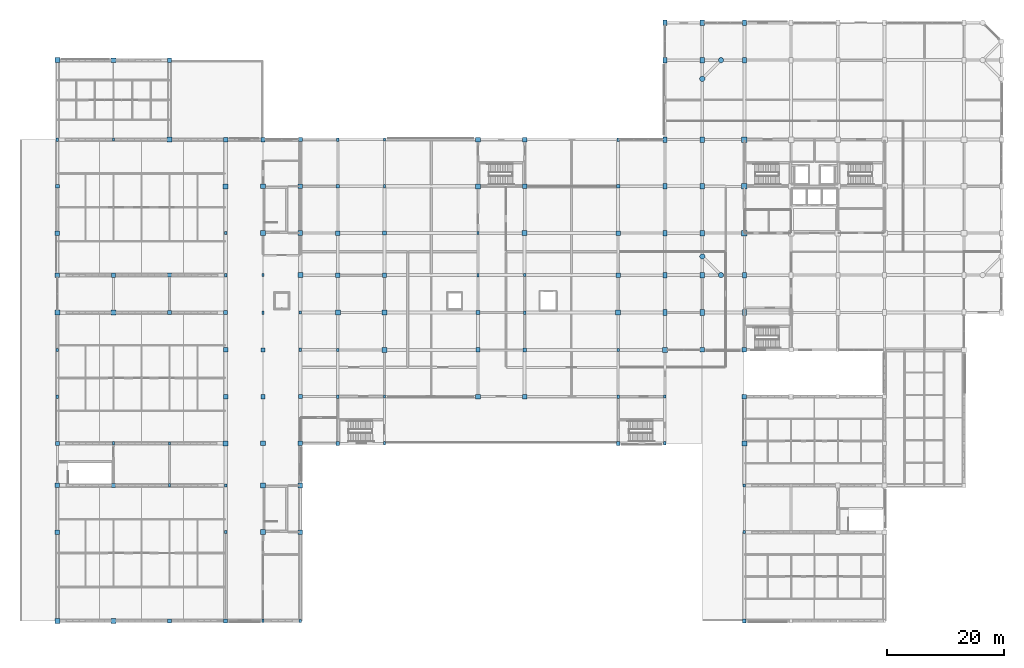
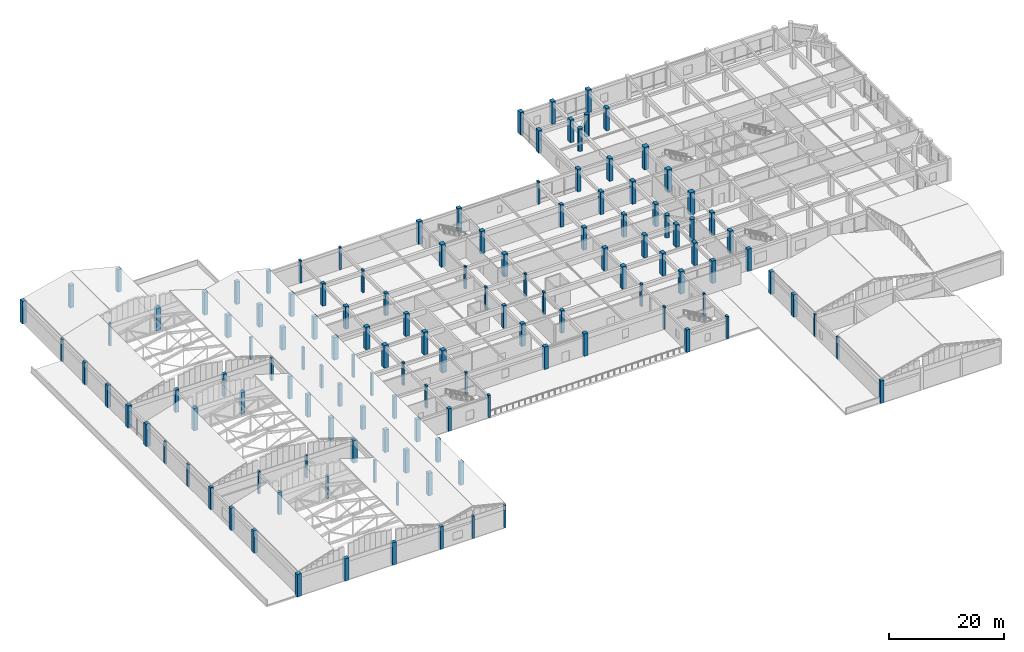
# One storey, part 1 of 61: 132 columns.
"""IFC4 building model written with IfcOpenShell, lengths in metres."""

from ifc_helpers import new_model, si_unit, direction, frame, origin, origin_2d, place, context, subcontext, project, spatial, rectangle, circle, extrude, material, material_profile, profile_set, type_object, element, save


model = new_model("IFC4")

# Units and contexts
model_context = context("Model", 3, precision=1e-05, world=origin(), true_north=direction((0.0, 1.0)))
body_context = subcontext(model_context, "Body", "Model", "MODEL_VIEW")
ifc_project = project(units=[si_unit("LENGTHUNIT", "METRE"), si_unit("AREAUNIT", "SQUARE_METRE"), si_unit("VOLUMEUNIT", "CUBIC_METRE"), si_unit("PLANEANGLEUNIT", "RADIAN"), si_unit("MASSUNIT", "GRAM", prefix="KILO")], contexts=[model_context])

# Site, building, storey
site_placement = place(None, origin())
site = spatial("IfcSite", under=ifc_project, at=site_placement, CompositionType="ELEMENT")
building_placement = place(site_placement, origin())
building = spatial("IfcBuilding", under=site, at=building_placement, Name="Vellmiral Cinema and Media Centre", CompositionType="ELEMENT")
storey_placement = place(building_placement, frame((0.0, 0.0, 10.800048828125)))
storey = spatial("IfcBuildingStorey", under=building, at=storey_placement, Name="L02", CompositionType="ELEMENT", Elevation=10.800048828125)

# Columns
ifc_material_1 = material(Name="Concrete C40/50", Category="concrete")
ifc_material_profile_1 = material_profile(ifc_material_1, rectangle(XDim=0.39990234375, YDim=0.5, at=origin_2d()), Name="RC 400x500")
ifc_profile_set_1 = profile_set([ifc_material_profile_1], Name="Concrete C40/50")
column_type_1 = type_object("IfcColumnType", Name="COL-RC-400x500", PredefinedType="COLUMN", material=ifc_profile_set_1)
for number, where, z_axis, x_axis, name in (
    (1, (6.39990234375, 59.199951171875, 0.0), (0.0, 0.0, 1.0), (1.0, 0.0, 0.0), "Column L02-006"),
    (2, (16.0, 95.199951171875, 0.0), (0.0, 0.0, 1.0), (1.0, 0.0, 0.0), "Column L02-018"),
    (3, (25.60009765625, 43.199951171875, 0.0), (0.0, 0.0, 1.0), (1.0, 0.0, 0.0), "Column L02-022"),
    (4, (35.199951171875, 28.0, 0.0), (0.0, 0.0, 1.0), (1.0, 0.0, 0.0), "Column L02-028"),
    (5, (35.199951171875, 36.0, 0.0), (0.0, 0.0, 1.0), (1.0, 0.0, 0.0), "Column L02-029"),
    (6, (35.199951171875, 79.199951171875, 0.0), (0.0, 0.0, 1.0), (1.0, 0.0, 0.0), "Column L02-035"),
    (7, (41.60009765625, 72.0, 0.0), (0.0, 0.0, 1.0), (1.0, 0.0, 0.0), "Column L02-045"),
    (8, (48.0, 12.800048828125, 0.0), (0.0, 0.0, 1.0), (1.0, 0.0, 0.0), "Column L02-049"),
    (9, (48.0, 65.60009765625, 0.0), (0.0, 0.0, 1.0), (1.0, 0.0, 0.0), "Column L02-055"),
    (10, (54.39990234375, 59.199951171875, 0.0), (0.0, 0.0, 1.0), (1.0, 0.0, 0.0), "Column L02-062"),
    (11, (62.39990234375, 51.199951171875, 0.0), (0.0, 0.0, 1.0), (1.0, 0.0, 0.0), "Column L02-069"),
    (12, (62.39990234375, 95.199951171875, 0.0), (0.0, 0.0, 1.0), (1.0, 0.0, 0.0), "Column L02-075"),
    (13, (78.39990234375, 79.199951171875, 0.0), (0.0, 0.0, 1.0), (1.0, 0.0, 0.0), "Column L02-080"),
    (14, (86.39990234375, 72.0, 0.0), (0.0, 0.0, 1.0), (1.0, 0.0, 0.0), "Column L02-086"),
    (15, (102.39990234375, 59.199951171875, 0.0), (0.0, 0.0, 1.0), (1.0, 0.0, 0.0), "Column L02-092"),
    (16, (110.39990234375, 51.199951171875, 0.0), (0.0, 0.0, 1.0), (1.0, 0.0, 0.0), "Column L02-099"),
    (17, (124.0, 28.0, 0.0), (0.0, 0.0, 1.0), (1.0, 0.0, 0.0), "Column L02-121"),
    (18, (124.0, 36.0, 0.0), (0.0, 0.0, 1.0), (1.0, 0.0, 0.0), "Column L02-122"),
):
    element("IfcColumn", number, at=place(storey_placement, frame(where, z_axis=z_axis, x_axis=x_axis)), inside=storey, type_object=column_type_1, Name=name, PredefinedType="COLUMN", context=body_context, shape_type="SweptSolid", body=[
        extrude(rectangle(XDim=0.39990234375, YDim=0.5, at=origin_2d()), origin(), (0.0, 0.0, 1.0), 4.800048828125),
    ])
ifc_material_2 = material(Name="Concrete C40/50", Category="concrete")
ifc_material_profile_2 = material_profile(ifc_material_2, rectangle(XDim=0.39990234375, YDim=0.60009765625, at=origin_2d()), Name="RC 400x600")
ifc_profile_set_2 = profile_set([ifc_material_profile_2], Name="Concrete C40/50")
column_type_2 = type_object("IfcColumnType", Name="COL-RC-400x600", PredefinedType="COLUMN", material=ifc_profile_set_2)
for number, where, z_axis, x_axis, name in (
    (19, (6.39990234375, 51.199951171875, 0.0), (0.0, 0.0, 1.0), (1.0, 0.0, 0.0), "Column L02-005"),
    (20, (6.39990234375, 95.199951171875, 0.0), (0.0, 0.0, 1.0), (1.0, 0.0, 0.0), "Column L02-011"),
    (21, (16.0, 43.199951171875, 0.0), (0.0, 0.0, 1.0), (1.0, 0.0, 0.0), "Column L02-015"),
    (22, (25.60009765625, 36.0, 0.0), (0.0, 0.0, 1.0), (1.0, 0.0, 0.0), "Column L02-021"),
    (23, (35.199951171875, 72.0, 0.0), (0.0, 0.0, 1.0), (1.0, 0.0, 0.0), "Column L02-034"),
    (24, (41.60009765625, 12.800048828125, 0.0), (0.0, 0.0, 1.0), (1.0, 0.0, 0.0), "Column L02-038"),
    (25, (41.60009765625, 65.60009765625, 0.0), (0.0, 0.0, 1.0), (1.0, 0.0, 0.0), "Column L02-044"),
    (26, (48.0, 59.199951171875, 0.0), (0.0, 0.0, 1.0), (1.0, 0.0, 0.0), "Column L02-054"),
    (27, (54.39990234375, 51.199951171875, 0.0), (0.0, 0.0, 1.0), (1.0, 0.0, 0.0), "Column L02-061"),
    (28, (54.39990234375, 95.199951171875, 0.0), (0.0, 0.0, 1.0), (1.0, 0.0, 0.0), "Column L02-067"),
    (29, (62.39990234375, 43.199951171875, 0.0), (0.0, 0.0, 1.0), (1.0, 0.0, 0.0), "Column L02-068"),
    (30, (62.39990234375, 87.199951171875, 0.0), (0.0, 0.0, 1.0), (1.0, 0.0, 0.0), "Column L02-074"),
    (31, (78.39990234375, 72.0, 0.0), (0.0, 0.0, 1.0), (1.0, 0.0, 0.0), "Column L02-079"),
    (32, (86.39990234375, 65.60009765625, 0.0), (0.0, 0.0, 1.0), (1.0, 0.0, 0.0), "Column L02-085"),
    (33, (102.39990234375, 51.199951171875, 0.0), (0.0, 0.0, 1.0), (1.0, 0.0, 0.0), "Column L02-091"),
    (34, (102.39990234375, 95.199951171875, 0.0), (0.0, 0.0, 1.0), (1.0, 0.0, 0.0), "Column L02-097"),
    (35, (110.39990234375, 43.199951171875, 0.0), (0.0, 0.0, 1.0), (1.0, 0.0, 0.0), "Column L02-098"),
):
    element("IfcColumn", number, at=place(storey_placement, frame(where, z_axis=z_axis, x_axis=x_axis)), inside=storey, type_object=column_type_2, Name=name, PredefinedType="COLUMN", context=body_context, shape_type="SweptSolid", body=[
        extrude(rectangle(XDim=0.39990234375, YDim=0.60009765625, at=origin_2d()), origin(), (0.0, 0.0, 1.0), 4.800048828125),
    ])
ifc_material_3 = material(Name="Concrete C40/50", Category="concrete")
ifc_material_profile_3 = material_profile(ifc_material_3, rectangle(XDim=0.64990234375, YDim=0.64990234375, at=origin_2d()), Name="RC 650x650")
ifc_profile_set_3 = profile_set([ifc_material_profile_3], Name="Concrete C40/50")
column_type_3 = type_object("IfcColumnType", Name="COL-RC-650x650", PredefinedType="COLUMN", material=ifc_profile_set_3)
for number, where, z_axis, x_axis, name in (
    (36, (6.39990234375, 43.199951171875, 0.0), (0.0, 0.0, 1.0), (1.0, 0.0, 0.0), "Column L02-004"),
    (37, (6.39990234375, 87.199951171875, 0.0), (0.0, 0.0, 1.0), (1.0, 0.0, 0.0), "Column L02-010"),
    (38, (16.0, 36.0, 0.0), (0.0, 0.0, 1.0), (1.0, 0.0, 0.0), "Column L02-014"),
    (39, (25.60009765625, 72.0, 0.0), (0.0, 0.0, 1.0), (1.0, 0.0, 0.0), "Column L02-024"),
    (40, (35.199951171875, 12.800048828125, 0.0), (0.0, 0.0, 1.0), (1.0, 0.0, 0.0), "Column L02-027"),
    (41, (35.199951171875, 65.60009765625, 0.0), (0.0, 0.0, 1.0), (1.0, 0.0, 0.0), "Column L02-033"),
    (42, (41.60009765625, 59.199951171875, 0.0), (0.0, 0.0, 1.0), (1.0, 0.0, 0.0), "Column L02-043"),
    (43, (48.0, 51.199951171875, 0.0), (0.0, 0.0, 1.0), (1.0, 0.0, 0.0), "Column L02-053"),
    (44, (48.0, 95.199951171875, 0.0), (0.0, 0.0, 1.0), (1.0, 0.0, 0.0), "Column L02-059"),
    (45, (54.39990234375, 43.199951171875, 0.0), (0.0, 0.0, 1.0), (1.0, 0.0, 0.0), "Column L02-060"),
    (46, (54.39990234375, 87.199951171875, 0.0), (0.0, 0.0, 1.0), (1.0, 0.0, 0.0), "Column L02-066"),
    (47, (62.39990234375, 79.199951171875, 0.0), (0.0, 0.0, 1.0), (1.0, 0.0, 0.0), "Column L02-073"),
    (48, (78.39990234375, 65.60009765625, 0.0), (0.0, 0.0, 1.0), (1.0, 0.0, 0.0), "Column L02-078"),
    (49, (86.39990234375, 59.199951171875, 0.0), (0.0, 0.0, 1.0), (1.0, 0.0, 0.0), "Column L02-084"),
    (50, (102.39990234375, 43.199951171875, 0.0), (0.0, 0.0, 1.0), (1.0, 0.0, 0.0), "Column L02-090"),
    (51, (102.39990234375, 87.199951171875, 0.0), (0.0, 0.0, 1.0), (1.0, 0.0, 0.0), "Column L02-096"),
    (52, (124.0, 12.800048828125, 0.0), (0.0, 0.0, 1.0), (1.0, 0.0, 0.0), "Column L02-120"),
):
    element("IfcColumn", number, at=place(storey_placement, frame(where, z_axis=z_axis, x_axis=x_axis)), inside=storey, type_object=column_type_3, Name=name, PredefinedType="COLUMN", context=body_context, shape_type="SweptSolid", body=[
        extrude(rectangle(XDim=0.64990234375, YDim=0.64990234375, at=origin_2d()), origin(), (0.0, 0.0, 1.0), 4.800048828125),
    ])
ifc_material_4 = material(Name="Concrete C40/50", Category="concrete")
ifc_material_profile_4 = material_profile(ifc_material_4, rectangle(XDim=0.699951171875, YDim=0.949951171875, at=origin_2d()), Name="RC 700x950")
ifc_profile_set_4 = profile_set([ifc_material_profile_4], Name="Concrete C40/50")
column_type_4 = type_object("IfcColumnType", Name="COL-RC-700x950", PredefinedType="COLUMN", material=ifc_profile_set_4)
for number, where, z_axis, x_axis, name in (
    (53, (110.39990234375, 65.60009765625, 0.0), (0.0, 0.0, 1.0), (1.0, 0.0, 0.0), "Column L02-101"),
    (54, (110.39990234375, 72.0, 0.0), (0.0, 0.0, 1.0), (1.0, 0.0, 0.0), "Column L02-102"),
    (55, (110.39990234375, 79.199951171875, 0.0), (0.0, 0.0, 1.0), (1.0, 0.0, 0.0), "Column L02-103"),
    (56, (110.39990234375, 87.199951171875, 0.0), (0.0, 0.0, 1.0), (1.0, 0.0, 0.0), "Column L02-104"),
    (57, (110.39990234375, 95.199951171875, 0.0), (0.0, 0.0, 1.0), (1.0, 0.0, 0.0), "Column L02-105"),
    (58, (110.39990234375, 108.800048828125, 0.0), (0.0, 0.0, 1.0), (1.0, 0.0, 0.0), "Column L02-106"),
    (59, (110.39990234375, 115.199951171875, 0.0), (0.0, 0.0, 1.0), (1.0, 0.0, 0.0), "Column L02-107"),
    (60, (116.800048828125, 65.60009765625, 0.0), (0.0, 0.0, 1.0), (1.0, 0.0, 0.0), "Column L02-109"),
    (61, (116.800048828125, 72.0, 0.0), (0.0, 0.0, 1.0), (1.0, 0.0, 0.0), "Column L02-110"),
    (62, (116.800048828125, 79.199951171875, 0.0), (0.0, 0.0, 1.0), (1.0, 0.0, 0.0), "Column L02-112"),
    (63, (116.800048828125, 87.199951171875, 0.0), (0.0, 0.0, 1.0), (1.0, 0.0, 0.0), "Column L02-113"),
    (64, (116.800048828125, 95.199951171875, 0.0), (0.0, 0.0, 1.0), (1.0, 0.0, 0.0), "Column L02-114"),
    (65, (116.800048828125, 108.800048828125, 0.0), (0.0, 0.0, 1.0), (1.0, 0.0, 0.0), "Column L02-116"),
    (66, (116.800048828125, 115.199951171875, 0.0), (0.0, 0.0, 1.0), (1.0, 0.0, 0.0), "Column L02-117"),
    (67, (124.0, 65.60009765625, 0.0), (0.0, 0.0, 1.0), (1.0, 0.0, 0.0), "Column L02-126"),
    (68, (124.0, 72.0, 0.0), (0.0, 0.0, 1.0), (1.0, 0.0, 0.0), "Column L02-127"),
    (69, (124.0, 108.800048828125, 0.0), (0.0, 0.0, 1.0), (1.0, 0.0, 0.0), "Column L02-131"),
    (70, (124.0, 115.199951171875, 0.0), (0.0, 0.0, 1.0), (1.0, 0.0, 0.0), "Column L02-132"),
):
    element("IfcColumn", number, at=place(storey_placement, frame(where, z_axis=z_axis, x_axis=x_axis)), inside=storey, type_object=column_type_4, Name=name, PredefinedType="COLUMN", context=body_context, shape_type="SweptSolid", body=[
        extrude(rectangle(XDim=0.699951171875, YDim=0.949951171875, at=origin_2d()), origin(), (0.0, 0.0, 1.0), 4.800048828125),
    ])
ifc_material_5 = material(Name="Concrete C40/50", Category="concrete")
ifc_material_profile_5 = material_profile(ifc_material_5, rectangle(XDim=0.75, YDim=0.75, at=origin_2d()), Name="RC 750x750")
ifc_profile_set_5 = profile_set([ifc_material_profile_5], Name="Concrete C40/50")
column_type_5 = type_object("IfcColumnType", Name="COL-RC-750x750", PredefinedType="COLUMN", material=ifc_profile_set_5)
for number, where, z_axis, x_axis, name in (
    (71, (6.39990234375, 28.0, 0.0), (0.0, 0.0, 1.0), (1.0, 0.0, 0.0), "Column L02-002"),
    (72, (6.39990234375, 36.0, 0.0), (0.0, 0.0, 1.0), (1.0, 0.0, 0.0), "Column L02-003"),
    (73, (6.39990234375, 79.199951171875, 0.0), (0.0, 0.0, 1.0), (1.0, 0.0, 0.0), "Column L02-009"),
    (74, (16.0, 72.0, 0.0), (0.0, 0.0, 1.0), (1.0, 0.0, 0.0), "Column L02-017"),
    (75, (25.60009765625, 12.800048828125, 0.0), (0.0, 0.0, 1.0), (1.0, 0.0, 0.0), "Column L02-020"),
    (76, (25.60009765625, 65.60009765625, 0.0), (0.0, 0.0, 1.0), (1.0, 0.0, 0.0), "Column L02-023"),
    (77, (25.60009765625, 108.800048828125, 0.0), (0.0, 0.0, 1.0), (1.0, 0.0, 0.0), "Column L02-026"),
    (78, (35.199951171875, 59.199951171875, 0.0), (0.0, 0.0, 1.0), (1.0, 0.0, 0.0), "Column L02-032"),
    (79, (41.60009765625, 51.199951171875, 0.0), (0.0, 0.0, 1.0), (1.0, 0.0, 0.0), "Column L02-042"),
    (80, (41.60009765625, 95.199951171875, 0.0), (0.0, 0.0, 1.0), (1.0, 0.0, 0.0), "Column L02-048"),
    (81, (48.0, 43.199951171875, 0.0), (0.0, 0.0, 1.0), (1.0, 0.0, 0.0), "Column L02-052"),
    (82, (48.0, 87.199951171875, 0.0), (0.0, 0.0, 1.0), (1.0, 0.0, 0.0), "Column L02-058"),
    (83, (54.39990234375, 79.199951171875, 0.0), (0.0, 0.0, 1.0), (1.0, 0.0, 0.0), "Column L02-065"),
    (84, (62.39990234375, 72.0, 0.0), (0.0, 0.0, 1.0), (1.0, 0.0, 0.0), "Column L02-072"),
    (85, (78.39990234375, 59.199951171875, 0.0), (0.0, 0.0, 1.0), (1.0, 0.0, 0.0), "Column L02-077"),
    (86, (86.39990234375, 51.199951171875, 0.0), (0.0, 0.0, 1.0), (1.0, 0.0, 0.0), "Column L02-083"),
    (87, (86.39990234375, 95.199951171875, 0.0), (0.0, 0.0, 1.0), (1.0, 0.0, 0.0), "Column L02-089"),
    (88, (102.39990234375, 79.199951171875, 0.0), (0.0, 0.0, 1.0), (1.0, 0.0, 0.0), "Column L02-095"),
    (89, (124.0, 59.199951171875, 0.0), (0.0, 0.0, 1.0), (1.0, 0.0, 0.0), "Column L02-125"),
):
    element("IfcColumn", number, at=place(storey_placement, frame(where, z_axis=z_axis, x_axis=x_axis)), inside=storey, type_object=column_type_5, Name=name, PredefinedType="COLUMN", context=body_context, shape_type="SweptSolid", body=[
        extrude(rectangle(XDim=0.75, YDim=0.75, at=origin_2d()), origin(), (0.0, 0.0, 1.0), 4.800048828125),
    ])
ifc_material_6 = material(Name="Concrete C40/50", Category="concrete")
ifc_material_profile_6 = material_profile(ifc_material_6, rectangle(XDim=0.800048828125, YDim=0.800048828125, at=origin_2d()), Name="RC 800x800")
ifc_profile_set_6 = profile_set([ifc_material_profile_6], Name="Concrete C40/50")
column_type_6 = type_object("IfcColumnType", Name="COL-RC-800x800", PredefinedType="COLUMN", material=ifc_profile_set_6)
for number, where, z_axis, x_axis, name in (
    (90, (6.39990234375, 72.0, 0.0), (0.0, 0.0, 1.0), (1.0, 0.0, 0.0), "Column L02-008"),
    (91, (16.0, 12.800048828125, 0.0), (0.0, 0.0, 1.0), (1.0, 0.0, 0.0), "Column L02-013"),
    (92, (16.0, 65.60009765625, 0.0), (0.0, 0.0, 1.0), (1.0, 0.0, 0.0), "Column L02-016"),
    (93, (16.0, 108.800048828125, 0.0), (0.0, 0.0, 1.0), (1.0, 0.0, 0.0), "Column L02-019"),
    (94, (35.199951171875, 51.199951171875, 0.0), (0.0, 0.0, 1.0), (1.0, 0.0, 0.0), "Column L02-031"),
    (95, (35.199951171875, 95.199951171875, 0.0), (0.0, 0.0, 1.0), (1.0, 0.0, 0.0), "Column L02-037"),
    (96, (41.60009765625, 43.199951171875, 0.0), (0.0, 0.0, 1.0), (1.0, 0.0, 0.0), "Column L02-041"),
    (97, (41.60009765625, 87.199951171875, 0.0), (0.0, 0.0, 1.0), (1.0, 0.0, 0.0), "Column L02-047"),
    (98, (48.0, 28.0, 0.0), (0.0, 0.0, 1.0), (1.0, 0.0, 0.0), "Column L02-050"),
    (99, (48.0, 36.0, 0.0), (0.0, 0.0, 1.0), (1.0, 0.0, 0.0), "Column L02-051"),
    (100, (48.0, 79.199951171875, 0.0), (0.0, 0.0, 1.0), (1.0, 0.0, 0.0), "Column L02-057"),
    (101, (54.39990234375, 72.0, 0.0), (0.0, 0.0, 1.0), (1.0, 0.0, 0.0), "Column L02-064"),
    (102, (62.39990234375, 65.60009765625, 0.0), (0.0, 0.0, 1.0), (1.0, 0.0, 0.0), "Column L02-071"),
    (103, (78.39990234375, 51.199951171875, 0.0), (0.0, 0.0, 1.0), (1.0, 0.0, 0.0), "Column L02-076"),
    (104, (78.39990234375, 95.199951171875, 0.0), (0.0, 0.0, 1.0), (1.0, 0.0, 0.0), "Column L02-082"),
    (105, (86.39990234375, 87.199951171875, 0.0), (0.0, 0.0, 1.0), (1.0, 0.0, 0.0), "Column L02-088"),
    (106, (102.39990234375, 72.0, 0.0), (0.0, 0.0, 1.0), (1.0, 0.0, 0.0), "Column L02-094"),
    (107, (116.800048828125, 59.199951171875, 0.0), (0.0, 0.0, 1.0), (1.0, 0.0, 0.0), "Column L02-108"),
    (108, (124.0, 51.199951171875, 0.0), (0.0, 0.0, 1.0), (1.0, 0.0, 0.0), "Column L02-124"),
):
    element("IfcColumn", number, at=place(storey_placement, frame(where, z_axis=z_axis, x_axis=x_axis)), inside=storey, type_object=column_type_6, Name=name, PredefinedType="COLUMN", context=body_context, shape_type="SweptSolid", body=[
        extrude(rectangle(XDim=0.800048828125, YDim=0.800048828125, at=origin_2d()), origin(), (0.0, 0.0, 1.0), 4.800048828125),
    ])
ifc_material_7 = material(Name="Concrete C40/50", Category="concrete")
ifc_material_profile_7 = material_profile(ifc_material_7, rectangle(XDim=0.85009765625, YDim=0.85009765625, at=origin_2d()), Name="RC 850x850")
ifc_profile_set_7 = profile_set([ifc_material_profile_7], Name="Concrete C40/50")
column_type_7 = type_object("IfcColumnType", Name="COL-RC-850x850", PredefinedType="COLUMN", material=ifc_profile_set_7)
for number, where, z_axis, x_axis, name in (
    (109, (6.39990234375, 12.800048828125, 0.0), (0.0, 0.0, 1.0), (1.0, 0.0, 0.0), "Column L02-001"),
    (110, (6.39990234375, 65.60009765625, 0.0), (0.0, 0.0, 1.0), (1.0, 0.0, 0.0), "Column L02-007"),
    (111, (6.39990234375, 108.800048828125, 0.0), (0.0, 0.0, 1.0), (1.0, 0.0, 0.0), "Column L02-012"),
    (112, (25.60009765625, 95.199951171875, 0.0), (0.0, 0.0, 1.0), (1.0, 0.0, 0.0), "Column L02-025"),
    (113, (35.199951171875, 43.199951171875, 0.0), (0.0, 0.0, 1.0), (1.0, 0.0, 0.0), "Column L02-030"),
    (114, (35.199951171875, 87.199951171875, 0.0), (0.0, 0.0, 1.0), (1.0, 0.0, 0.0), "Column L02-036"),
    (115, (41.60009765625, 28.0, 0.0), (0.0, 0.0, 1.0), (1.0, 0.0, 0.0), "Column L02-039"),
    (116, (41.60009765625, 36.0, 0.0), (0.0, 0.0, 1.0), (1.0, 0.0, 0.0), "Column L02-040"),
    (117, (41.60009765625, 79.199951171875, 0.0), (0.0, 0.0, 1.0), (1.0, 0.0, 0.0), "Column L02-046"),
    (118, (48.0, 72.0, 0.0), (0.0, 0.0, 1.0), (1.0, 0.0, 0.0), "Column L02-056"),
    (119, (54.39990234375, 65.60009765625, 0.0), (0.0, 0.0, 1.0), (1.0, 0.0, 0.0), "Column L02-063"),
    (120, (62.39990234375, 59.199951171875, 0.0), (0.0, 0.0, 1.0), (1.0, 0.0, 0.0), "Column L02-070"),
    (121, (78.39990234375, 87.199951171875, 0.0), (0.0, 0.0, 1.0), (1.0, 0.0, 0.0), "Column L02-081"),
    (122, (86.39990234375, 79.199951171875, 0.0), (0.0, 0.0, 1.0), (1.0, 0.0, 0.0), "Column L02-087"),
    (123, (102.39990234375, 65.60009765625, 0.0), (0.0, 0.0, 1.0), (1.0, 0.0, 0.0), "Column L02-093"),
    (124, (110.39990234375, 59.199951171875, 0.0), (0.0, 0.0, 1.0), (1.0, 0.0, 0.0), "Column L02-100"),
    (125, (124.0, 43.199951171875, 0.0), (0.0, 0.0, 1.0), (1.0, 0.0, 0.0), "Column L02-123"),
):
    element("IfcColumn", number, at=place(storey_placement, frame(where, z_axis=z_axis, x_axis=x_axis)), inside=storey, type_object=column_type_7, Name=name, PredefinedType="COLUMN", context=body_context, shape_type="SweptSolid", body=[
        extrude(rectangle(XDim=0.85009765625, YDim=0.85009765625, at=origin_2d()), origin(), (0.0, 0.0, 1.0), 4.800048828125),
    ])
ifc_material_8 = material(Name="Concrete C40/50", Category="concrete")
ifc_material_profile_8 = material_profile(ifc_material_8, rectangle(XDim=0.949951171875, YDim=0.949951171875, at=origin_2d()), Name="RC 950x950")
ifc_profile_set_8 = profile_set([ifc_material_profile_8], Name="Concrete C40/50")
column_type_8 = type_object("IfcColumnType", Name="COL-RC-950x950", PredefinedType="COLUMN", material=ifc_profile_set_8)
for number, where, z_axis, x_axis, name in (
    (126, (124.0, 79.199951171875, 0.0), (0.0, 0.0, 1.0), (1.0, 0.0, 0.0), "Column L02-128"),
    (127, (124.0, 87.199951171875, 0.0), (0.0, 0.0, 1.0), (1.0, 0.0, 0.0), "Column L02-129"),
    (128, (124.0, 95.199951171875, 0.0), (0.0, 0.0, 1.0), (1.0, 0.0, 0.0), "Column L02-130"),
):
    element("IfcColumn", number, at=place(storey_placement, frame(where, z_axis=z_axis, x_axis=x_axis)), inside=storey, type_object=column_type_8, Name=name, PredefinedType="COLUMN", context=body_context, shape_type="SweptSolid", body=[
        extrude(rectangle(XDim=0.949951171875, YDim=0.949951171875, at=origin_2d()), origin(), (0.0, 0.0, 1.0), 4.800048828125),
    ])
ifc_material_9 = material(Name="Concrete C40/50", Category="concrete")
ifc_material_profile_9 = material_profile(ifc_material_9, circle(Radius=0.449951171875, at=origin_2d()), Name="RC D900")
ifc_profile_set_9 = profile_set([ifc_material_profile_9], Name="Concrete C40/50")
column_type_9 = type_object("IfcColumnType", Name="COL-RCC-D900", PredefinedType="COLUMN", material=ifc_profile_set_9)
for number, where, z_axis, x_axis, name in (
    (129, (116.800048828125, 75.199951171875, 0.0), (0.0, 0.0, 1.0), (1.0, 0.0, 0.0), "Column L02-111"),
    (130, (116.800048828125, 105.60009765625, 0.0), (0.0, 0.0, 1.0), (1.0, 0.0, 0.0), "Column L02-115"),
    (131, (120.0, 72.0, 0.0), (0.0, 0.0, 1.0), (1.0, 0.0, 0.0), "Column L02-118"),
    (132, (120.0, 108.800048828125, 0.0), (0.0, 0.0, 1.0), (1.0, 0.0, 0.0), "Column L02-119"),
):
    element("IfcColumn", number, at=place(storey_placement, frame(where, z_axis=z_axis, x_axis=x_axis)), inside=storey, type_object=column_type_9, Name=name, PredefinedType="COLUMN", context=body_context, shape_type="SweptSolid", body=[
        extrude(circle(Radius=0.449951171875, at=origin_2d()), origin(), (0.0, 0.0, 1.0), 4.800048828125),
    ])

save(model, "model.ifc")
